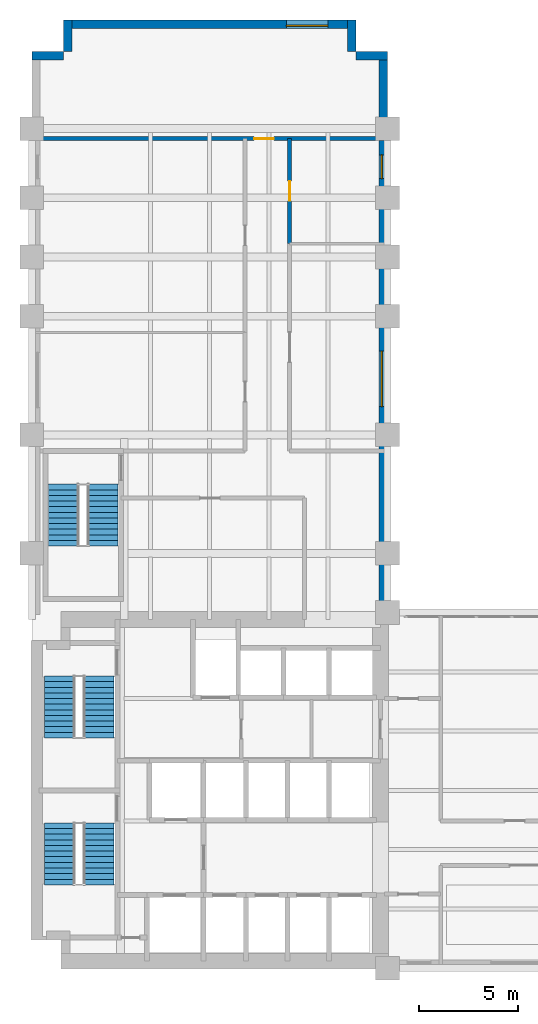
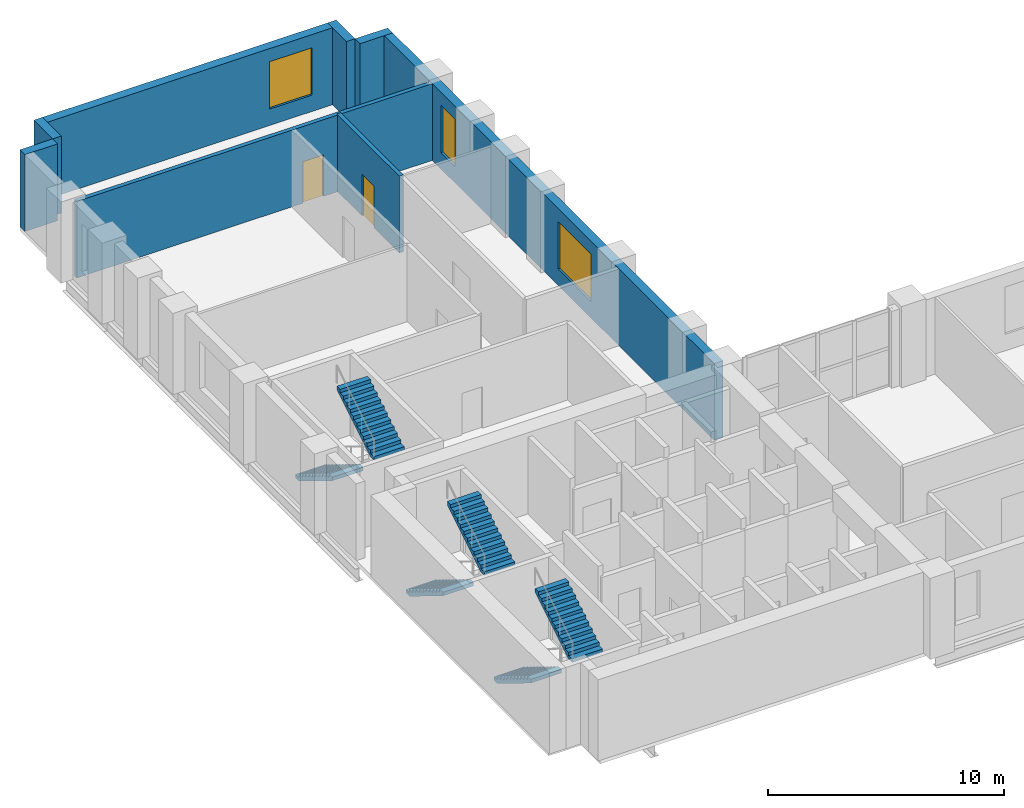
# One storey, part 7 of 8: 8 walls, 6 stair flights, 3 windows, 2 doors, 5 openings, 3 elements without a shape of their own.
"""IFC4 building model written with IfcOpenShell, lengths in metres."""

from ifc_helpers import new_model, si_unit, direction, frame, frame_2d, origin, place, context, subcontext, project, spatial, polyline, rectangle, outline, extrude, material, layer, layer_set, type_object, element, fill, aggregate, save


model = new_model("IFC4")

# Units and contexts
model_context = context("Model", 3, precision=1e-05, world=origin(), true_north=direction((0.0, 1.0)))
body_context = subcontext(model_context, "Body", "Model", "MODEL_VIEW")
ifc_project = project(units=[si_unit("LENGTHUNIT", "METRE"), si_unit("AREAUNIT", "SQUARE_METRE"), si_unit("VOLUMEUNIT", "CUBIC_METRE"), si_unit("PLANEANGLEUNIT", "RADIAN"), si_unit("MASSUNIT", "GRAM", prefix="KILO")], contexts=[model_context])

# Site, building, storey
site_placement = place(None, origin())
site = spatial("IfcSite", under=ifc_project, at=site_placement, CompositionType="ELEMENT")
building_placement = place(site_placement, origin())
building = spatial("IfcBuilding", under=site, at=building_placement, Name="Mawjdan Bourse Tower", CompositionType="ELEMENT")
storey_placement = place(building_placement, frame((0.0, 0.0, 25.800048828125)))
storey = spatial("IfcBuildingStorey", under=building, at=storey_placement, Name="L05", CompositionType="ELEMENT", Elevation=25.800048828125)

# Wall, openings, windows
ifc_material_1 = material(Name="Brick Masonry Buff", Category="masonry")
ifc_layer_1 = layer(ifc_material_1, 0.419921875)
ifc_layer_set_1 = layer_set([ifc_layer_1], Name="Brick Masonry Buff")
wall_type_1 = type_object("IfcWallType", Name="WL-BRK-BUFF-420", PredefinedType="STANDARD", material=ifc_layer_set_1)
wall_1_placement = place(storey_placement, frame((23.7900390625, 21.0, 0.0), z_axis=(0.0, 0.0, 1.0), x_axis=(0.0, 1.0, 0.0)))
wall_1 = element("IfcWall", 1, at=wall_1_placement, inside=storey, type_object=wall_type_1, Name="L05 Exterior Brick Wall 8", PredefinedType="STANDARD", context=body_context, shape_type="SweptSolid", body=[
    extrude(rectangle(XDim=28.39990234375, YDim=0.419921875, at=frame_2d((14.199951171875, 0.0))), origin(), (0.0, 0.0, 1.0), 3.97998046875),
])
opening_1_placement = place(wall_1_placement, frame((10.433349609375, 0.0, 0.85009765625)))
opening_1 = element("IfcOpeningElement", 2, at=opening_1_placement, cuts=wall_1, Name="Opening W-L05-04", PredefinedType="OPENING", context=body_context, shape_type="SweptSolid", body=[
    extrude(rectangle(XDim=2.800048828125, YDim=2.449951171875, at=frame_2d((1.39990234375, 1.22509765625))), frame((0.0, 0.219970703125, 0.0), z_axis=(0.0, -1.0, 0.0), x_axis=(1.0, 0.0, 0.0)), (0.0, 0.0, 1.0), 0.43994140625),
])
opening_2_placement = place(wall_1_placement, frame((21.96630859375, 0.0, 0.85009765625)))
opening_2 = element("IfcOpeningElement", 3, at=opening_2_placement, cuts=wall_1, Name="Opening W-L05-14", PredefinedType="OPENING", context=body_context, shape_type="SweptSolid", body=[
    extrude(rectangle(XDim=1.199951171875, YDim=2.449951171875, at=frame_2d((0.60009765625, 1.22509765625))), frame((0.0, 0.219970703125, 0.0), z_axis=(0.0, -1.0, 0.0), x_axis=(1.0, 0.0, 0.0)), (0.0, 0.0, 1.0), 0.43994140625),
])
ifc_material_2 = material(Name="Solar-Control Clear Double Glazing", Category="glass")
window_type_1 = type_object("IfcWindowType", Name="WN-TRD-1200", PartitioningType="SINGLE_PANEL", PredefinedType="WINDOW", material=ifc_material_2)
window_1_placement = place(opening_2_placement, origin())
window_1 = element("IfcWindow", 4, at=window_1_placement, inside=storey, type_object=window_type_1, Name="L05 Deep-Set Masonry Window W-L05-14", OverallHeight=2.449951171875, OverallWidth=1.199951171875, PartitioningType="SINGLE_PANEL", PredefinedType="WINDOW", context=body_context, shape_type="SweptSolid", body=[
    extrude(rectangle(XDim=1.199951171875, YDim=2.449951171875, at=frame_2d((0.60009765625, 1.22509765625))), frame((0.0, 0.110107421875, 0.0), z_axis=(0.0, -1.0, 0.0), x_axis=(1.0, 0.0, 0.0)), (0.0, 0.0, 1.0), 0.06005859375),
])
fill(opening_2, window_1)
window_type_2 = type_object("IfcWindowType", Name="WN-TRD-2800", PartitioningType="SINGLE_PANEL", PredefinedType="WINDOW", material=ifc_material_2)
window_2_placement = place(opening_1_placement, origin())
window_2 = element("IfcWindow", 5, at=window_2_placement, inside=storey, type_object=window_type_2, Name="L05 Deep-Set Masonry Window W-L05-04", OverallHeight=2.449951171875, OverallWidth=2.800048828125, PartitioningType="SINGLE_PANEL", PredefinedType="WINDOW", context=body_context, shape_type="SweptSolid", body=[
    extrude(rectangle(XDim=2.800048828125, YDim=2.449951171875, at=frame_2d((1.39990234375, 1.22509765625))), frame((0.0, 0.110107421875, 0.0), z_axis=(0.0, -1.0, 0.0), x_axis=(1.0, 0.0, 0.0)), (0.0, 0.0, 1.0), 0.06005859375),
])
fill(opening_1, window_2)

# Walls
for number, where, z_axis, x_axis, name in (
    (6, (24.0, 49.18994140625, 0.0), (0.0, 0.0, 1.0), (-1.0, 0.0, 0.0), "L05 Exterior Brick Wall 9"),
    (7, (22.18994140625, 49.39990234375, 0.0), (0.0, 0.0, 1.0), (0.0, 1.0, 0.0), "L05 Exterior Brick Wall 10"),
):
    element("IfcWall", number, at=place(storey_placement, frame(where, z_axis=z_axis, x_axis=x_axis)), inside=storey, type_object=wall_type_1, Name=name, PredefinedType="STANDARD", context=body_context, shape_type="SweptSolid", body=[
        extrude(rectangle(XDim=1.60009765625, YDim=0.419921875, at=frame_2d((0.800048828125, 0.0))), origin(), (0.0, 0.0, 1.0), 3.97998046875),
    ])

# Wall, opening, window
wall_2_placement = place(storey_placement, frame((22.39990234375, 50.7900390625, 0.0), z_axis=(0.0, 0.0, 1.0), x_axis=(-1.0, 0.0, 0.0)))
wall_2 = element("IfcWall", 8, at=wall_2_placement, inside=storey, type_object=wall_type_1, Name="L05 Exterior Brick Wall 11", PredefinedType="STANDARD", context=body_context, shape_type="SweptSolid", body=[
    extrude(rectangle(XDim=14.7998046875, YDim=0.419921875, at=frame_2d((7.39990234375, 0.0))), origin(), (0.0, 0.0, 1.0), 3.97998046875),
])
opening_3_placement = place(wall_2_placement, frame((1.416748046875, 0.0, 0.85009765625)))
opening_3 = element("IfcOpeningElement", 9, at=opening_3_placement, cuts=wall_2, Name="Opening W-L05-05", PredefinedType="OPENING", context=body_context, shape_type="SweptSolid", body=[
    extrude(rectangle(XDim=2.10009765625, YDim=2.449951171875, at=frame_2d((1.050048828125, 1.22509765625))), frame((0.0, 0.219970703125, 0.0), z_axis=(0.0, -1.0, 0.0), x_axis=(1.0, 0.0, 0.0)), (0.0, 0.0, 1.0), 0.43994140625),
])
window_type_3 = type_object("IfcWindowType", Name="WN-TRD-2100", PartitioningType="SINGLE_PANEL", PredefinedType="WINDOW", material=ifc_material_2)
window_3_placement = place(opening_3_placement, origin())
window_3 = element("IfcWindow", 10, at=window_3_placement, inside=storey, type_object=window_type_3, Name="L05 Deep-Set Masonry Window W-L05-05", OverallHeight=2.449951171875, OverallWidth=2.10009765625, PartitioningType="SINGLE_PANEL", PredefinedType="WINDOW", context=body_context, shape_type="SweptSolid", body=[
    extrude(rectangle(XDim=2.10009765625, YDim=2.449951171875, at=frame_2d((1.050048828125, 1.22509765625))), frame((0.0, 0.110107421875, 0.0), z_axis=(0.0, -1.0, 0.0), x_axis=(1.0, 0.0, 0.0)), (0.0, 0.0, 1.0), 0.06005859375),
])
fill(opening_3, window_3)

# Walls
for number, where, z_axis, x_axis, name in (
    (11, (7.81005859375, 51.0, 0.0), (0.0, 0.0, 1.0), (0.0, -1.0, 0.0), "L05 Exterior Brick Wall 12"),
    (12, (7.60009765625, 49.18994140625, 0.0), (0.0, 0.0, 1.0), (-1.0, 0.0, 0.0), "L05 Exterior Brick Wall 13"),
):
    element("IfcWall", number, at=place(storey_placement, frame(where, z_axis=z_axis, x_axis=x_axis)), inside=storey, type_object=wall_type_1, Name=name, PredefinedType="STANDARD", context=body_context, shape_type="SweptSolid", body=[
        extrude(rectangle(XDim=1.60009765625, YDim=0.419921875, at=frame_2d((0.800048828125, 0.0))), origin(), (0.0, 0.0, 1.0), 3.97998046875),
    ])

# Wall, opening, door
ifc_material_3 = material(Name="Gypsum Fireboard Assembly")
ifc_layer_2 = layer(ifc_material_3, 0.199951171875)
ifc_layer_set_2 = layer_set([ifc_layer_2], Name="Gypsum Fireboard Assembly")
wall_type_2 = type_object("IfcWallType", Name="WL-CMP-200", PredefinedType="PARTITIONING", material=ifc_layer_set_2)
wall_3_placement = place(storey_placement, frame((19.050048828125, 39.679931640625, 0.0), z_axis=(0.0, 0.0, 1.0), x_axis=(0.0, 1.0, 0.0)))
wall_3 = element("IfcWall", 13, at=wall_3_placement, inside=storey, type_object=wall_type_2, Name="L05 Client Meeting Room Corridor Wall", PredefinedType="PARTITIONING", context=body_context, shape_type="SweptSolid", body=[
    extrude(rectangle(XDim=5.320068359375, YDim=0.199951171875, at=frame_2d((2.66015625, 0.0))), origin(), (0.0, 0.0, 1.0), 3.969970703125),
])
opening_4_placement = place(wall_3_placement, frame((2.159912109375, 0.0, 0.0)))
opening_4 = element("IfcOpeningElement", 14, at=opening_4_placement, cuts=wall_3, Name="Opening D-L05-31", PredefinedType="OPENING", context=body_context, shape_type="SweptSolid", body=[
    extrude(rectangle(XDim=1.0, YDim=2.14990234375, at=frame_2d((0.5, 1.074951171875))), frame((0.0, 0.10986328125, 0.0), z_axis=(0.0, -1.0, 0.0), x_axis=(1.0, 0.0, 0.0)), (0.0, 0.0, 1.0), 0.219970703125),
])
ifc_material_4 = material(Name="Hardwood Acoustic Leaf", Category="wood")
door_type = type_object("IfcDoorType", Name="DR-OFC-1000", OperationType="NOTDEFINED", PredefinedType="DOOR", material=ifc_material_4)
door_1_placement = place(opening_4_placement, origin())
door_1 = element("IfcDoor", 15, at=door_1_placement, inside=storey, type_object=door_type, Name="L05 Client Meeting Room Door D-L05-31", OperationType="SINGLE_SWING_LEFT", OverallHeight=2.14990234375, OverallWidth=1.0, PredefinedType="DOOR", context=body_context, shape_type="SweptSolid", body=[
    extrude(rectangle(XDim=1.0, YDim=2.14990234375, at=frame_2d((0.5, 1.074951171875))), frame((0.0, 0.02490234375, 0.0), z_axis=(0.0, -1.0, 0.0), x_axis=(1.0, 0.0, 0.0)), (0.0, 0.0, 1.0), 0.050048828125),
])
fill(opening_4, door_1)

wall_4_placement = place(storey_placement, frame((6.179931640625, 45.0, 0.0), z_axis=(0.0, 0.0, 1.0), x_axis=(1.0, 0.0, 0.0)))
wall_4 = element("IfcWall", 16, at=wall_4_placement, inside=storey, type_object=wall_type_2, Name="L05 North Tip Full Cross Wall", PredefinedType="PARTITIONING", context=body_context, shape_type="SweptSolid", body=[
    extrude(rectangle(XDim=17.64013671875, YDim=0.199951171875, at=frame_2d((8.820068359375, 0.0))), origin(), (0.0, 0.0, 1.0), 3.969970703125),
])
opening_5_placement = place(wall_4_placement, frame((11.074951171875, 0.0, 0.0)))
opening_5 = element("IfcOpeningElement", 17, at=opening_5_placement, cuts=wall_4, Name="Opening D-L05-32", PredefinedType="OPENING", context=body_context, shape_type="SweptSolid", body=[
    extrude(rectangle(XDim=1.0, YDim=2.14990234375, at=frame_2d((0.5, 1.074951171875))), frame((0.0, 0.10986328125, 0.0), z_axis=(0.0, -1.0, 0.0), x_axis=(1.0, 0.0, 0.0)), (0.0, 0.0, 1.0), 0.219970703125),
])
door_2_placement = place(opening_5_placement, origin())
door_2 = element("IfcDoor", 18, at=door_2_placement, inside=storey, type_object=door_type, Name="L05 North Tip Suite Door D-L05-32", OperationType="SINGLE_SWING_RIGHT", OverallHeight=2.14990234375, OverallWidth=1.0, PredefinedType="DOOR", context=body_context, shape_type="SweptSolid", body=[
    extrude(rectangle(XDim=1.0, YDim=2.14990234375, at=frame_2d((0.5, 1.074951171875))), frame((0.0, 0.02490234375, 0.0), z_axis=(0.0, -1.0, 0.0), x_axis=(1.0, 0.0, 0.0)), (0.0, 0.0, 1.0), 0.050048828125),
])
fill(opening_5, door_2)

# Stair, stair flights
ifc_material_5 = material(Name="Concrete C50/60", Category="concrete")
stair_type = type_object("IfcStairType", Name="STR-CORE-1500", PredefinedType="HALF_TURN_STAIR", material=ifc_material_5)
stair_1_placement = place(storey_placement, origin())
stair_1 = element("IfcStair", 19, at=stair_1_placement, inside=storey, type_object=stair_type, Name="L05 Exit Stair 1 (Core South-West)", PredefinedType="HALF_TURN_STAIR")
stair_flight_type = type_object("IfcStairFlightType", Name="SFL-RC-1500", PredefinedType="STRAIGHT", material=ifc_material_5)
stair_flight_1_placement = place(storey_placement, frame((7.389892578125, 10.35009765625, 0.0), z_axis=(0.0, 0.0, 1.0), x_axis=(0.0, -1.0, 0.0)))
stair_flight_1 = element("IfcStairFlight", 20, at=stair_flight_1_placement, type_object=stair_flight_type, Name="ST1-L05 flight 1", NumberOfRisers=12, NumberOfTreads=11, PredefinedType="STRAIGHT", RiserHeight=0.175, TreadLength=0.285, context=body_context, shape_type="SweptSolid", body=[
    extrude(outline(polyline([(0.0, 0.0), (0.0, 0.175048828125), (0.284912109375, 0.175048828125), (0.284912109375, 0.35009765625), (0.570068359375, 0.35009765625), (0.570068359375, 0.52490234375), (0.85498046875, 0.52490234375), (0.85498046875, 0.699951171875), (1.139892578125, 0.699951171875), (1.139892578125, 0.875), (1.425048828125, 0.875), (1.425048828125, 1.050048828125), (1.7099609375, 1.050048828125), (1.7099609375, 1.22509765625), (1.9951171875, 1.22509765625), (1.9951171875, 1.39990234375), (2.280029296875, 1.39990234375), (2.280029296875, 1.574951171875), (2.56494140625, 1.574951171875), (2.56494140625, 1.75), (2.85009765625, 1.75), (2.85009765625, 1.925048828125), (3.135009765625, 1.925048828125), (3.135009765625, 2.10009765625), (3.135009765625, 1.7373046875), (0.3056640625, 0.0), (0.0, 0.0)])), frame((0.0, 0.75, 0.0), z_axis=(0.0, -1.0, 0.0), x_axis=(1.0, 0.0, 0.0)), (0.0, 0.0, 1.0), 1.5),
])
stair_flight_2_placement = place(storey_placement, frame((9.409912109375, 7.215087890625, 2.099853515625), z_axis=(0.0, 0.0, 1.0), x_axis=(0.0, 1.0, 0.0)))
stair_flight_2 = element("IfcStairFlight", 21, at=stair_flight_2_placement, type_object=stair_flight_type, Name="ST1-L05 flight 2", NumberOfRisers=12, NumberOfTreads=11, PredefinedType="STRAIGHT", RiserHeight=0.175, TreadLength=0.285, context=body_context, shape_type="SweptSolid", body=[
    extrude(outline(polyline([(0.0, 0.0), (0.0, 0.175048828125), (0.284912109375, 0.175048828125), (0.284912109375, 0.35009765625), (0.570068359375, 0.35009765625), (0.570068359375, 0.52490234375), (0.85498046875, 0.52490234375), (0.85498046875, 0.699951171875), (1.139892578125, 0.699951171875), (1.139892578125, 0.875), (1.425048828125, 0.875), (1.425048828125, 1.050048828125), (1.7099609375, 1.050048828125), (1.7099609375, 1.22509765625), (1.9951171875, 1.22509765625), (1.9951171875, 1.39990234375), (2.280029296875, 1.39990234375), (2.280029296875, 1.574951171875), (2.56494140625, 1.574951171875), (2.56494140625, 1.75), (2.85009765625, 1.75), (2.85009765625, 1.925048828125), (3.135009765625, 1.925048828125), (3.135009765625, 2.10009765625), (3.135009765625, 1.7373046875), (0.3056640625, 0.0), (0.0, 0.0)])), frame((0.0, 0.75, 0.0), z_axis=(0.0, -1.0, 0.0), x_axis=(1.0, 0.0, 0.0)), (0.0, 0.0, 1.0), 1.5),
])
aggregate(stair_1, [stair_flight_1, stair_flight_2])

stair_2_placement = place(storey_placement, origin())
stair_2 = element("IfcStair", 22, at=stair_2_placement, inside=storey, type_object=stair_type, Name="L05 Exit Stair 2 (Core North-West)", PredefinedType="HALF_TURN_STAIR")
stair_flight_3_placement = place(storey_placement, frame((7.389892578125, 17.7900390625, 0.0), z_axis=(0.0, 0.0, 1.0), x_axis=(0.0, -1.0, 0.0)))
stair_flight_3 = element("IfcStairFlight", 23, at=stair_flight_3_placement, type_object=stair_flight_type, Name="ST2-L05 flight 1", NumberOfRisers=12, NumberOfTreads=11, PredefinedType="STRAIGHT", RiserHeight=0.175, TreadLength=0.285, context=body_context, shape_type="SweptSolid", body=[
    extrude(outline(polyline([(0.0, 0.0), (0.0, 0.175048828125), (0.284912109375, 0.175048828125), (0.284912109375, 0.35009765625), (0.570068359375, 0.35009765625), (0.570068359375, 0.52490234375), (0.85498046875, 0.52490234375), (0.85498046875, 0.699951171875), (1.139892578125, 0.699951171875), (1.139892578125, 0.875), (1.425048828125, 0.875), (1.425048828125, 1.050048828125), (1.7099609375, 1.050048828125), (1.7099609375, 1.22509765625), (1.9951171875, 1.22509765625), (1.9951171875, 1.39990234375), (2.280029296875, 1.39990234375), (2.280029296875, 1.574951171875), (2.56494140625, 1.574951171875), (2.56494140625, 1.75), (2.85009765625, 1.75), (2.85009765625, 1.925048828125), (3.135009765625, 1.925048828125), (3.135009765625, 2.10009765625), (3.135009765625, 1.7373046875), (0.3056640625, 0.0), (0.0, 0.0)])), frame((0.0, 0.75, 0.0), z_axis=(0.0, -1.0, 0.0), x_axis=(1.0, 0.0, 0.0)), (0.0, 0.0, 1.0), 1.5),
])
stair_flight_4_placement = place(storey_placement, frame((9.409912109375, 14.655029296875, 2.099853515625), z_axis=(0.0, 0.0, 1.0), x_axis=(0.0, 1.0, 0.0)))
stair_flight_4 = element("IfcStairFlight", 24, at=stair_flight_4_placement, type_object=stair_flight_type, Name="ST2-L05 flight 2", NumberOfRisers=12, NumberOfTreads=11, PredefinedType="STRAIGHT", RiserHeight=0.175, TreadLength=0.285, context=body_context, shape_type="SweptSolid", body=[
    extrude(outline(polyline([(0.0, 0.0), (0.0, 0.175048828125), (0.284912109375, 0.175048828125), (0.284912109375, 0.35009765625), (0.570068359375, 0.35009765625), (0.570068359375, 0.52490234375), (0.85498046875, 0.52490234375), (0.85498046875, 0.699951171875), (1.139892578125, 0.699951171875), (1.139892578125, 0.875), (1.425048828125, 0.875), (1.425048828125, 1.050048828125), (1.7099609375, 1.050048828125), (1.7099609375, 1.22509765625), (1.9951171875, 1.22509765625), (1.9951171875, 1.39990234375), (2.280029296875, 1.39990234375), (2.280029296875, 1.574951171875), (2.56494140625, 1.574951171875), (2.56494140625, 1.75), (2.85009765625, 1.75), (2.85009765625, 1.925048828125), (3.135009765625, 1.925048828125), (3.135009765625, 2.10009765625), (3.135009765625, 1.7373046875), (0.3056640625, 0.0), (0.0, 0.0)])), frame((0.0, 0.75, 0.0), z_axis=(0.0, -1.0, 0.0), x_axis=(1.0, 0.0, 0.0)), (0.0, 0.0, 1.0), 1.5),
])
aggregate(stair_2, [stair_flight_3, stair_flight_4])

stair_3_placement = place(storey_placement, origin())
stair_3 = element("IfcStair", 25, at=stair_3_placement, inside=storey, type_object=stair_type, Name="L05 Exit Stair 3 (North Wing)", PredefinedType="HALF_TURN_STAIR")
stair_flight_5_placement = place(storey_placement, frame((7.590087890625, 27.5, 0.0), z_axis=(0.0, 0.0, 1.0), x_axis=(0.0, -1.0, 0.0)))
stair_flight_5 = element("IfcStairFlight", 26, at=stair_flight_5_placement, type_object=stair_flight_type, Name="ST3-L05 flight 1", NumberOfRisers=12, NumberOfTreads=11, PredefinedType="STRAIGHT", RiserHeight=0.175, TreadLength=0.285, context=body_context, shape_type="SweptSolid", body=[
    extrude(outline(polyline([(0.0, 0.0), (0.0, 0.175048828125), (0.284912109375, 0.175048828125), (0.284912109375, 0.35009765625), (0.570068359375, 0.35009765625), (0.570068359375, 0.52490234375), (0.85498046875, 0.52490234375), (0.85498046875, 0.699951171875), (1.139892578125, 0.699951171875), (1.139892578125, 0.875), (1.425048828125, 0.875), (1.425048828125, 1.050048828125), (1.7099609375, 1.050048828125), (1.7099609375, 1.22509765625), (1.9951171875, 1.22509765625), (1.9951171875, 1.39990234375), (2.280029296875, 1.39990234375), (2.280029296875, 1.574951171875), (2.56494140625, 1.574951171875), (2.56494140625, 1.75), (2.85009765625, 1.75), (2.85009765625, 1.925048828125), (3.135009765625, 1.925048828125), (3.135009765625, 2.10009765625), (3.135009765625, 1.7373046875), (0.3056640625, 0.0), (0.0, 0.0)])), frame((0.0, 0.75, 0.0), z_axis=(0.0, -1.0, 0.0), x_axis=(1.0, 0.0, 0.0)), (0.0, 0.0, 1.0), 1.5),
])
stair_flight_6_placement = place(storey_placement, frame((9.610107421875, 24.364990234375, 2.099853515625), z_axis=(0.0, 0.0, 1.0), x_axis=(0.0, 1.0, 0.0)))
stair_flight_6 = element("IfcStairFlight", 27, at=stair_flight_6_placement, type_object=stair_flight_type, Name="ST3-L05 flight 2", NumberOfRisers=12, NumberOfTreads=11, PredefinedType="STRAIGHT", RiserHeight=0.175, TreadLength=0.285, context=body_context, shape_type="SweptSolid", body=[
    extrude(outline(polyline([(0.0, 0.0), (0.0, 0.175048828125), (0.284912109375, 0.175048828125), (0.284912109375, 0.35009765625), (0.570068359375, 0.35009765625), (0.570068359375, 0.52490234375), (0.85498046875, 0.52490234375), (0.85498046875, 0.699951171875), (1.139892578125, 0.699951171875), (1.139892578125, 0.875), (1.425048828125, 0.875), (1.425048828125, 1.050048828125), (1.7099609375, 1.050048828125), (1.7099609375, 1.22509765625), (1.9951171875, 1.22509765625), (1.9951171875, 1.39990234375), (2.280029296875, 1.39990234375), (2.280029296875, 1.574951171875), (2.56494140625, 1.574951171875), (2.56494140625, 1.75), (2.85009765625, 1.75), (2.85009765625, 1.925048828125), (3.135009765625, 1.925048828125), (3.135009765625, 2.10009765625), (3.135009765625, 1.7373046875), (0.3056640625, 0.0), (0.0, 0.0)])), frame((0.0, 0.75, 0.0), z_axis=(0.0, -1.0, 0.0), x_axis=(1.0, 0.0, 0.0)), (0.0, 0.0, 1.0), 1.5),
])
aggregate(stair_3, [stair_flight_5, stair_flight_6])

save(model, "model.ifc")
